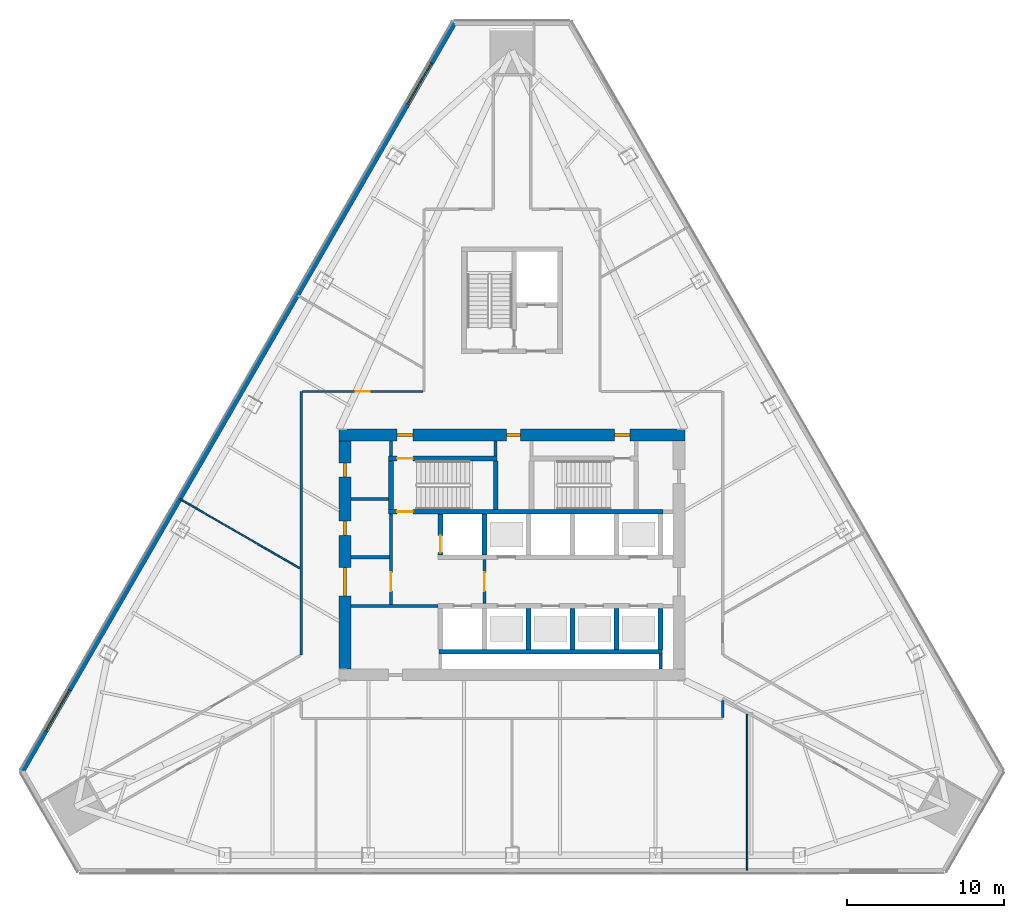
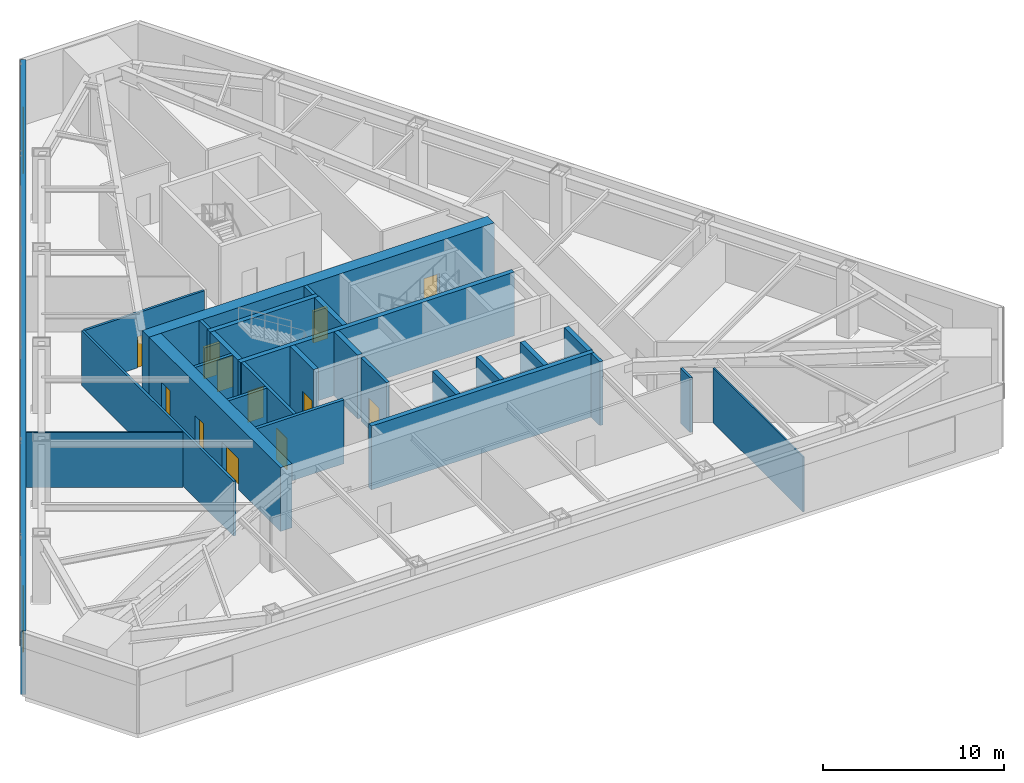
# One storey, part 6 of 14: 27 walls, 12 doors, 2 windows, 14 openings.
"""IFC4 building model written with IfcOpenShell, lengths in metres."""

import ifcopenshell
import ifcopenshell.guid

model = None  # the IFC model being written
_history = None  # IfcOwnerHistory: only IFC2X3 demands one
_inside = {}  # id of a spatial element -> (the spatial element, [elements in it])
_under = {}  # id of a project, library or spatial element -> (it, [spatial elements below it])
_declared = {}  # id of a project -> (the project, [libraries it declares])
_typed = {}  # id of a type object -> (the type object, [elements of that type])
_made_of = {}  # id of a material, layer set ... -> (it, [elements and type objects made of it])


def new_model(schema):
    """Start an empty IFC model of exactly this schema.

    Asked for "IFC4X3", IfcOpenShell would pick the latest addendum, in which some entities
    have other attributes; the version numbers below select the first issue.
    IFC2X3 requires an IfcOwnerHistory on every rooted entity: one is made here for all.
    """
    global model, _history
    if schema == "IFC4X3":
        model = ifcopenshell.file(schema_version=(4, 3, 0, 0))
    else:
        model = ifcopenshell.file(schema=schema)
    _inside.clear()
    _under.clear()
    _declared.clear()
    _typed.clear()
    _made_of.clear()
    _history = None
    if model.schema == "IFC2X3":
        org = make("IfcOrganization", Name="unknown")
        user = make(
            "IfcPersonAndOrganization",
            ThePerson=make("IfcPerson", FamilyName="unknown"),
            TheOrganization=org,
        )
        app = make(
            "IfcApplication",
            ApplicationDeveloper=org,
            Version="unknown",
            ApplicationFullName="unknown",
            ApplicationIdentifier="unknown",
        )
        _history = make(
            "IfcOwnerHistory",
            OwningUser=user,
            OwningApplication=app,
            ChangeAction="ADDED",
            CreationDate=0,
        )
    return model


def make(cls, **values):
    """One entity of the class cls with the attributes given. An attribute that is None is left unset."""
    return model.create_entity(
        cls, **{name: value for name, value in values.items() if value is not None}
    )


def rooted(cls, **values):
    """An entity with a GlobalId (a new one), such as an element, a storey or a relation."""
    return make(cls, GlobalId=ifcopenshell.guid.new(), OwnerHistory=_history, **values)


def si_unit(unit_type, name, prefix=None):
    """IfcSIUnit, for example si_unit("LENGTHUNIT", "METRE", prefix="MILLI")."""
    return make("IfcSIUnit", UnitType=unit_type, Prefix=prefix, Name=name)


def assignment(units):
    """IfcUnitAssignment: the units of a project."""
    return None if units is None else make("IfcUnitAssignment", Units=units)


def point(xyz):
    """IfcCartesianPoint."""
    return None if xyz is None else make("IfcCartesianPoint", Coordinates=xyz)


def direction(xyz):
    """IfcDirection."""
    return None if xyz is None else make("IfcDirection", DirectionRatios=xyz)


def frame(location, z_axis=None, x_axis=None):
    """IfcAxis2Placement3D, a coordinate frame: its origin and axes. An axis left out is left unset."""
    return make(
        "IfcAxis2Placement3D",
        Location=point(location),
        Axis=direction(z_axis),
        RefDirection=direction(x_axis),
    )


def frame_2d(location, x_axis=None):
    """IfcAxis2Placement2D, a coordinate frame in the plane: its origin and x axis."""
    return make(
        "IfcAxis2Placement2D", Location=point(location), RefDirection=direction(x_axis)
    )


def origin():
    """The frame at (0, 0, 0) with its axes left unset."""
    return frame((0.0, 0.0, 0.0))


def place(relative_to, where):
    """IfcLocalPlacement: puts the frame where relative to a parent placement (None: the world)."""
    return make(
        "IfcLocalPlacement", PlacementRelTo=relative_to, RelativePlacement=where
    )


def context(
    kind, dimensions, precision=None, world=None, true_north=None, identifier=None
):
    """IfcGeometricRepresentationContext, for example the 3D "Model" context."""
    return make(
        "IfcGeometricRepresentationContext",
        ContextIdentifier=identifier,
        ContextType=kind,
        CoordinateSpaceDimension=dimensions,
        Precision=precision,
        WorldCoordinateSystem=world,
        TrueNorth=true_north,
    )


def subcontext(parent, identifier, kind, view, scale=None):
    """IfcGeometricRepresentationSubContext, for example "Body" below "Model"."""
    return make(
        "IfcGeometricRepresentationSubContext",
        ContextIdentifier=identifier,
        ContextType=kind,
        ParentContext=parent,
        TargetScale=scale,
        TargetView=view,
    )


def project(units=None, contexts=None):
    """IfcProject with its units and contexts."""
    return rooted(
        "IfcProject",
        Name="project",
        RepresentationContexts=contexts,
        UnitsInContext=assignment(units),
    )


def spatial(cls, under=None, at=None, **own):
    """A site, building, storey or space (cls), placed at a placement, below another one or the project."""
    s = rooted(cls, ObjectPlacement=at, **own)
    if under is not None:
        _under.setdefault(under.id(), (under, []))[1].append(s)
    return s


def profile(cls, at=None, kind="AREA", **sizes):
    """A parametric profile (cls). Its sizes go by their IFC names, for example OverallWidth=200.0."""
    return make(cls, ProfileType=kind, Position=at, **sizes)


def rectangle(**sizes):
    """IfcRectangleProfileDef."""
    return profile("IfcRectangleProfileDef", **sizes)


def extrude(swept, where, along, depth):
    """IfcExtrudedAreaSolid: the profile swept, set in the frame where, extruded along a direction by depth."""
    return make(
        "IfcExtrudedAreaSolid",
        SweptArea=swept,
        Position=where,
        ExtrudedDirection=direction(along),
        Depth=depth,
    )


def shape(context_of_items, identifier, shape_type, items):
    """IfcShapeRepresentation: the items that make up one representation, for example the "Body"."""
    return make(
        "IfcShapeRepresentation",
        ContextOfItems=context_of_items,
        RepresentationIdentifier=identifier,
        RepresentationType=shape_type,
        Items=items,
    )


def material(Name=None, Category=None):
    """IfcMaterial."""
    return make("IfcMaterial", Name=Name, Category=Category)


def layer(
    of_material, thickness, ventilated=None, Name=None, Category=None, Priority=None
):
    """IfcMaterialLayer: one layer of a wall or slab, of a material (None: an air gap)."""
    return make(
        "IfcMaterialLayer",
        Material=of_material,
        LayerThickness=thickness,
        IsVentilated=ventilated,
        Name=Name,
        Category=Category,
        Priority=Priority,
    )


def layer_set(layers, Name=None):
    """IfcMaterialLayerSet."""
    return make("IfcMaterialLayerSet", MaterialLayers=layers, LayerSetName=Name)


def made_of(thing, what):
    """Note that an element or type object is made of a material, layer set ...; save() writes the relation."""
    if what is not None:
        _made_of.setdefault(what.id(), (what, []))[1].append(thing)
    return thing


def type_object(cls, material=None, **own):
    """A type object (cls), such as IfcWallType, which elements share."""
    return made_of(rooted(cls, **own), material)


def element(
    cls,
    number,
    at=None,
    inside=None,
    cuts=None,
    type_object=None,
    material=None,
    context=None,
    identifier="Body",
    shape_type=None,
    held_by="IfcProductDefinitionShape",
    body=None,
    shapes=None,
    **own,
):
    """One element of the class cls, such as IfcWall. Its Tag is "e" and its number.

    at: its placement. inside: the storey or other place that contains it. cuts: it is an
    opening in that element (IfcRelVoidsElement). A single representation is given by context,
    identifier, shape_type and body (its items); several are given by shapes. held_by: the class
    of the entity that holds the representations. save() writes the other relations.
    """
    e = rooted(cls, Tag="e%d" % number, ObjectPlacement=at, **own)
    if body is not None:
        shapes = [shape(context, identifier, shape_type, body)]
    if shapes is not None:
        e.Representation = make(held_by, Representations=shapes)
    if inside is not None:
        _inside.setdefault(inside.id(), (inside, []))[1].append(e)
    if cuts is not None:
        rooted(
            "IfcRelVoidsElement", RelatingBuildingElement=cuts, RelatedOpeningElement=e
        )
    if type_object is not None:
        _typed.setdefault(type_object.id(), (type_object, []))[1].append(e)
    return made_of(e, material)


def fill(opening, filler):
    """IfcRelFillsElement: the door or window that sits in an opening."""
    return rooted(
        "IfcRelFillsElement",
        RelatingOpeningElement=opening,
        RelatedBuildingElement=filler,
    )


def aggregate(whole, parts):
    """IfcRelAggregates: a whole, such as a stair, and the parts it consists of."""
    return rooted("IfcRelAggregates", RelatingObject=whole, RelatedObjects=parts)


def save(model, path):
    """Write the relations noted so far, then the file.

    IfcRelAggregates (storeys below a building ...), IfcRelContainedInSpatialStructure (elements
    in a storey), IfcRelDefinesByType, IfcRelAssociatesMaterial and IfcRelDeclares: one each for
    every whole, place, type object, material and project.
    """
    for whole, parts in _under.values():
        aggregate(whole, parts)
    for where, things in _inside.values():
        rooted(
            "IfcRelContainedInSpatialStructure",
            RelatedElements=things,
            RelatingStructure=where,
        )
    for kind, things in _typed.values():
        rooted("IfcRelDefinesByType", RelatedObjects=things, RelatingType=kind)
    for what, things in _made_of.values():
        rooted("IfcRelAssociatesMaterial", RelatedObjects=things, RelatingMaterial=what)
    for by, libraries in _declared.values():
        rooted("IfcRelDeclares", RelatingContext=by, RelatedDefinitions=libraries)
    model.write(path)


model = new_model("IFC4")

# Units and contexts
model_context = context("Model", 3, precision=1e-05, world=origin(), true_north=direction((0.0, 1.0)))
body_context = subcontext(model_context, "Body", "Model", "MODEL_VIEW")
ifc_project = project(units=[si_unit("LENGTHUNIT", "METRE"), si_unit("AREAUNIT", "SQUARE_METRE"), si_unit("VOLUMEUNIT", "CUBIC_METRE"), si_unit("PLANEANGLEUNIT", "RADIAN"), si_unit("MASSUNIT", "GRAM", prefix="KILO")], contexts=[model_context])

# Site, building, storey
site_placement = place(None, origin())
site = spatial("IfcSite", under=ifc_project, at=site_placement, CompositionType="ELEMENT")
building_placement = place(site_placement, origin())
building = spatial("IfcBuilding", under=site, at=building_placement, Name="Firuza Gate Tower and Library", CompositionType="ELEMENT")
storey_placement = place(building_placement, frame((0.0, 0.0, 151.300048828125)))
storey = spatial("IfcBuildingStorey", under=building, at=storey_placement, Name="L34", CompositionType="ELEMENT", Elevation=151.300048828125)

# Walls
ifc_material_1 = material(Name="Plasterboard on steel studs", Category="steel")
ifc_layer_1 = layer(ifc_material_1, 0.199951171875)
ifc_layer_set_1 = layer_set([ifc_layer_1], Name="Core partition 200 EI 120")
wall_type_1 = type_object("IfcWallType", Name="Core partition 200 EI 120", PredefinedType="PARTITIONING", material=ifc_layer_set_1)
wall_1_placement = place(storey_placement, frame((64.75, 71.75, 0.0), z_axis=(0.0, 0.0, 1.0), x_axis=(1.0, 0.0, 0.0)))
element("IfcWall", 1, at=wall_1_placement, inside=storey, type_object=wall_type_1, Name="Core partition L34 1", PredefinedType="PARTITIONING", context=body_context, shape_type="SweptSolid", body=[
    extrude(rectangle(XDim=5.550048828125, YDim=0.199951171875, at=frame_2d((2.77490234375, 0.0))), origin(), (0.0, 0.0, 1.0), 4.300048828125),
])
wall_2_placement = place(storey_placement, frame((64.75, 74.85009765625, 0.0), z_axis=(0.0, 0.0, 1.0), x_axis=(1.0, 0.0, 0.0)))
element("IfcWall", 2, at=wall_2_placement, inside=storey, type_object=wall_type_1, Name="Core partition L34 3", PredefinedType="PARTITIONING", context=body_context, shape_type="SweptSolid", body=[
    extrude(rectangle(XDim=2.449951171875, YDim=0.199951171875, at=frame_2d((1.22509765625, 0.0))), origin(), (0.0, 0.0, 1.0), 4.300048828125),
])
wall_3_placement = place(storey_placement, frame((64.75, 78.550048828125, 0.0), z_axis=(0.0, 0.0, 1.0), x_axis=(1.0, 0.0, 0.0)))
element("IfcWall", 3, at=wall_3_placement, inside=storey, type_object=wall_type_1, Name="Core partition L34 6", PredefinedType="PARTITIONING", context=body_context, shape_type="SweptSolid", body=[
    extrude(rectangle(XDim=2.39990234375, YDim=0.199951171875, at=frame_2d((1.199951171875, 0.0))), origin(), (0.0, 0.0, 1.0), 4.300048828125),
])

# Wall, opening, door
wall_4_placement = place(storey_placement, frame((67.300048828125, 71.85009765625, 0.0), z_axis=(0.0, 0.0, 1.0), x_axis=(0.0, 1.0, 0.0)))
wall_4 = element("IfcWall", 4, at=wall_4_placement, inside=storey, type_object=wall_type_1, Name="Core partition L34 7", PredefinedType="PARTITIONING", context=body_context, shape_type="SweptSolid", body=[
    extrude(rectangle(XDim=5.75, YDim=0.199951171875, at=frame_2d((2.875, 0.0))), origin(), (0.0, 0.0, 1.0), 4.300048828125),
])
opening_1_placement = place(wall_4_placement, frame((0.85009765625, 0.0, 0.0)))
opening_1 = element("IfcOpeningElement", 5, at=opening_1_placement, cuts=wall_4, Name="Opening L34-K19", PredefinedType="OPENING", context=body_context, shape_type="SweptSolid", body=[
    extrude(rectangle(XDim=1.199951171875, YDim=2.10009765625, at=frame_2d((0.60009765625, 1.050048828125))), frame((0.0, 0.10986328125, 0.0), z_axis=(0.0, -1.0, 0.0), x_axis=(1.0, 0.0, 0.0)), (0.0, 0.0, 1.0), 0.219970703125),
])
ifc_material_2 = material(Name="Steel", Category="steel")
door_type_1 = type_object("IfcDoorType", Name="Fire door 1200x2100 FD90S", OperationType="NOTDEFINED", PredefinedType="DOOR", material=ifc_material_2)
door_1_placement = place(opening_1_placement, origin())
door_1 = element("IfcDoor", 6, at=door_1_placement, inside=storey, type_object=door_type_1, Name="Door L34-K19", OperationType="SINGLE_SWING_RIGHT", OverallHeight=2.10009765625, OverallWidth=1.199951171875, PredefinedType="DOOR", context=body_context, shape_type="SweptSolid", body=[
    extrude(rectangle(XDim=1.199951171875, YDim=2.10009765625, at=frame_2d((0.60009765625, 1.050048828125))), frame((0.0, 0.02490234375, 0.0), z_axis=(0.0, -1.0, 0.0), x_axis=(1.0, 0.0, 0.0)), (0.0, 0.0, 1.0), 0.050048828125),
])
fill(opening_1, door_1)

# Walls
for number, where, z_axis, x_axis, name in (
    (7, (67.300048828125, 81.280029296875, 0.0), (0.0, 0.0, 1.0), (0.0, 1.0, 0.0), "Core partition L34 8"),
    (8, (73.9599609375, 81.280029296875, 0.0), (0.0, 0.0, 1.0), (0.0, 1.0, 0.0), "Core partition L34 11"),
):
    element("IfcWall", number, at=place(storey_placement, frame(where, z_axis=z_axis, x_axis=x_axis)), inside=storey, type_object=wall_type_1, Name=name, PredefinedType="PARTITIONING", context=body_context, shape_type="SweptSolid", body=[
        extrude(rectangle(XDim=0.969970703125, YDim=0.199951171875, at=frame_2d((0.48486328125, 0.0))), origin(), (0.0, 0.0, 1.0), 4.300048828125),
    ])
wall_5_placement = place(storey_placement, frame((84.449951171875, 67.75, 0.0), z_axis=(0.0, 0.0, 1.0), x_axis=(0.0, 1.0, 0.0)))
element("IfcWall", 9, at=wall_5_placement, inside=storey, type_object=wall_type_1, Name="Core partition L34 14", PredefinedType="PARTITIONING", context=body_context, shape_type="SweptSolid", body=[
    extrude(rectangle(XDim=0.949951171875, YDim=0.199951171875, at=frame_2d((0.47509765625, 0.0))), origin(), (0.0, 0.0, 1.0), 4.300048828125),
])

# Wall, opening, door
ifc_material_3 = material(Name="Plasterboard on steel studs", Category="steel")
ifc_layer_2 = layer(ifc_material_3, 0.199951171875)
ifc_layer_set_2 = layer_set([ifc_layer_2], Name="Core partition 200 EI 60")
wall_type_2 = type_object("IfcWallType", Name="Core partition 200 EI 60", PredefinedType="PARTITIONING", material=ifc_layer_set_2)
wall_6_placement = place(storey_placement, frame((73.25, 71.89990234375, 0.0), z_axis=(0.0, 0.0, 1.0), x_axis=(0.0, 1.0, 0.0)))
wall_6 = element("IfcWall", 10, at=wall_6_placement, inside=storey, type_object=wall_type_2, Name="Core partition L34 10", PredefinedType="PARTITIONING", context=body_context, shape_type="SweptSolid", body=[
    extrude(rectangle(XDim=2.800048828125, YDim=0.199951171875, at=frame_2d((1.39990234375, 0.0))), origin(), (0.0, 0.0, 1.0), 4.300048828125),
])
opening_2_placement = place(wall_6_placement, frame((0.800048828125, 0.0, 0.0)))
opening_2 = element("IfcOpeningElement", 11, at=opening_2_placement, cuts=wall_6, Name="Opening L34-K18", PredefinedType="OPENING", context=body_context, shape_type="SweptSolid", body=[
    extrude(rectangle(XDim=1.199951171875, YDim=2.10009765625, at=frame_2d((0.60009765625, 1.050048828125))), frame((0.0, 0.10986328125, 0.0), z_axis=(0.0, -1.0, 0.0), x_axis=(1.0, 0.0, 0.0)), (0.0, 0.0, 1.0), 0.219970703125),
])
door_2_placement = place(opening_2_placement, origin())
door_2 = element("IfcDoor", 12, at=door_2_placement, inside=storey, type_object=door_type_1, Name="Door L34-K18", OperationType="SINGLE_SWING_LEFT", OverallHeight=2.10009765625, OverallWidth=1.199951171875, PredefinedType="DOOR", context=body_context, shape_type="SweptSolid", body=[
    extrude(rectangle(XDim=1.199951171875, YDim=2.10009765625, at=frame_2d((0.60009765625, 1.050048828125))), frame((0.0, 0.02490234375, 0.0), z_axis=(0.0, -1.0, 0.0), x_axis=(1.0, 0.0, 0.0)), (0.0, 0.0, 1.0), 0.050048828125),
])
fill(opening_2, door_2)

# Wall
ifc_material_4 = material(Name="Concrete C80/95", Category="concrete")
ifc_layer_3 = layer(ifc_material_4, 0.300048828125)
ifc_layer_set_3 = layer_set([ifc_layer_3], Name="Core wall 300 C80/95")
wall_type_3 = type_object("IfcWallType", Name="Core wall 300 C80/95", PredefinedType="SHEAR", material=ifc_layer_set_3)
wall_7_placement = place(storey_placement, frame((70.35009765625, 68.85009765625, 0.0), z_axis=(0.0, 0.0, 1.0), x_axis=(1.0, 0.0, 0.0)))
element("IfcWall", 13, at=wall_7_placement, inside=storey, type_object=wall_type_3, Name="Core wall L34 5", PredefinedType="SHEAR", context=body_context, shape_type="SweptSolid", body=[
    extrude(rectangle(XDim=14.199951171875, YDim=0.300048828125, at=frame_2d((7.10009765625, 0.0))), origin(), (0.0, 0.0, 1.0), 4.300048828125),
])

# Wall, opening, door
wall_8_placement = place(storey_placement, frame((70.449951171875, 75.0, 0.0), z_axis=(0.0, 0.0, 1.0), x_axis=(0.0, 1.0, 0.0)))
wall_8 = element("IfcWall", 14, at=wall_8_placement, inside=storey, type_object=wall_type_3, Name="Core wall L34 9", PredefinedType="SHEAR", context=body_context, shape_type="SweptSolid", body=[
    extrude(rectangle(XDim=2.60009765625, YDim=0.300048828125, at=frame_2d((1.300048828125, 0.0))), origin(), (0.0, 0.0, 1.0), 4.300048828125),
])
opening_3_placement = place(wall_8_placement, frame((0.14990234375, 0.0, 0.0)))
opening_3 = element("IfcOpeningElement", 15, at=opening_3_placement, cuts=wall_8, Name="Opening LD-FF2-L34", PredefinedType="OPENING", context=body_context, shape_type="SweptSolid", body=[
    extrude(rectangle(XDim=1.10009765625, YDim=2.10009765625, at=frame_2d((0.550048828125, 1.050048828125))), frame((0.0, 0.16015625, 0.0), z_axis=(0.0, -1.0, 0.0), x_axis=(1.0, 0.0, 0.0)), (0.0, 0.0, 1.0), 0.320068359375),
])
ifc_material_5 = material(Name="Stainless steel", Category="steel")
door_type_2 = type_object("IfcDoorType", Name="Lift landing door 1100x2100", OperationType="DOUBLE_DOOR_SLIDING", PredefinedType="DOOR", material=ifc_material_5)
door_3_placement = place(opening_3_placement, origin())
door_3 = element("IfcDoor", 16, at=door_3_placement, inside=storey, type_object=door_type_2, Name="Landing door FF2 L34", OperationType="DOUBLE_DOOR_SLIDING", OverallHeight=2.10009765625, OverallWidth=1.10009765625, PredefinedType="DOOR", context=body_context, shape_type="SweptSolid", body=[
    extrude(rectangle(XDim=1.10009765625, YDim=2.10009765625, at=frame_2d((0.550048828125, 1.050048828125))), frame((0.0, 0.02490234375, 0.0), z_axis=(0.0, -1.0, 0.0), x_axis=(1.0, 0.0, 0.0)), (0.0, 0.0, 1.0), 0.050048828125),
])
fill(opening_3, door_3)

# Walls
for number, where, z_axis, x_axis, name in (
    (17, (73.25, 75.0, 0.0), (0.0, 0.0, 1.0), (0.0, 1.0, 0.0), "Core wall L34 11"),
    (18, (76.050048828125, 69.0, 0.0), (0.0, 0.0, 1.0), (0.0, 1.0, 0.0), "Core wall L34 12"),
    (19, (78.85009765625, 69.0, 0.0), (0.0, 0.0, 1.0), (0.0, 1.0, 0.0), "Core wall L34 14"),
    (20, (81.64990234375, 69.0, 0.0), (0.0, 0.0, 1.0), (0.0, 1.0, 0.0), "Core wall L34 16"),
    (21, (84.449951171875, 69.0, 0.0), (0.0, 0.0, 1.0), (0.0, 1.0, 0.0), "Core wall L34 18"),
):
    element("IfcWall", number, at=place(storey_placement, frame(where, z_axis=z_axis, x_axis=x_axis)), inside=storey, type_object=wall_type_3, Name=name, PredefinedType="SHEAR", context=body_context, shape_type="SweptSolid", body=[
        extrude(rectangle(XDim=2.60009765625, YDim=0.300048828125, at=frame_2d((1.300048828125, 0.0))), origin(), (0.0, 0.0, 1.0), 4.300048828125),
    ])

# Wall, opening, door
wall_9_placement = place(storey_placement, frame((67.14990234375, 77.75, 0.0), z_axis=(0.0, 0.0, 1.0), x_axis=(1.0, 0.0, 0.0)))
wall_9 = element("IfcWall", 22, at=wall_9_placement, inside=storey, type_object=wall_type_3, Name="Core wall L34 20", PredefinedType="SHEAR", context=body_context, shape_type="SweptSolid", body=[
    extrude(rectangle(XDim=17.4501953125, YDim=0.300048828125, at=frame_2d((8.72509765625, 0.0))), origin(), (0.0, 0.0, 1.0), 4.300048828125),
])
opening_4_placement = place(wall_9_placement, frame((0.544921875, 0.0, 0.0)))
opening_4 = element("IfcOpeningElement", 23, at=opening_4_placement, cuts=wall_9, Name="Opening L34-K10", PredefinedType="OPENING", context=body_context, shape_type="SweptSolid", body=[
    extrude(rectangle(XDim=1.0, YDim=2.10009765625, at=frame_2d((0.5, 1.050048828125))), frame((0.0, 0.16015625, 0.0), z_axis=(0.0, -1.0, 0.0), x_axis=(1.0, 0.0, 0.0)), (0.0, 0.0, 1.0), 0.320068359375),
])
ifc_material_6 = material(Name="Steel", Category="steel")
door_type_3 = type_object("IfcDoorType", Name="Fire door 1000x2100 FD90", OperationType="NOTDEFINED", PredefinedType="DOOR", material=ifc_material_6)
door_4_placement = place(opening_4_placement, origin())
door_4 = element("IfcDoor", 24, at=door_4_placement, inside=storey, type_object=door_type_3, Name="Door L34-K10", OperationType="SINGLE_SWING_LEFT", OverallHeight=2.10009765625, OverallWidth=1.0, PredefinedType="DOOR", context=body_context, shape_type="SweptSolid", body=[
    extrude(rectangle(XDim=1.0, YDim=2.10009765625, at=frame_2d((0.5, 1.050048828125))), frame((0.0, 0.02490234375, 0.0), z_axis=(0.0, -1.0, 0.0), x_axis=(1.0, 0.0, 0.0)), (0.0, 0.0, 1.0), 0.050048828125),
])
fill(opening_4, door_4)

wall_10_placement = place(storey_placement, frame((67.14990234375, 81.1298828125, 0.0), z_axis=(0.0, 0.0, 1.0), x_axis=(1.0, 0.0, 0.0)))
wall_10 = element("IfcWall", 25, at=wall_10_placement, inside=storey, type_object=wall_type_3, Name="Core wall L34 21", PredefinedType="SHEAR", context=body_context, shape_type="SweptSolid", body=[
    extrude(rectangle(XDim=6.91015625, YDim=0.300048828125, at=frame_2d((3.455078125, 0.0))), origin(), (0.0, 0.0, 1.0), 4.300048828125),
])
opening_5_placement = place(wall_10_placement, frame((0.544921875, 0.0, 0.0)))
opening_5 = element("IfcOpeningElement", 26, at=opening_5_placement, cuts=wall_10, Name="Opening L34-K11", PredefinedType="OPENING", context=body_context, shape_type="SweptSolid", body=[
    extrude(rectangle(XDim=1.0, YDim=2.10009765625, at=frame_2d((0.5, 1.050048828125))), frame((0.0, 0.16015625, 0.0), z_axis=(0.0, -1.0, 0.0), x_axis=(1.0, 0.0, 0.0)), (0.0, 0.0, 1.0), 0.320068359375),
])
door_5_placement = place(opening_5_placement, origin())
door_5 = element("IfcDoor", 27, at=door_5_placement, inside=storey, type_object=door_type_3, Name="Door L34-K11", OperationType="SINGLE_SWING_RIGHT", OverallHeight=2.10009765625, OverallWidth=1.0, PredefinedType="DOOR", context=body_context, shape_type="SweptSolid", body=[
    extrude(rectangle(XDim=1.0, YDim=2.10009765625, at=frame_2d((0.5, 1.050048828125))), frame((0.0, 0.02490234375, 0.0), z_axis=(0.0, -1.0, 0.0), x_axis=(1.0, 0.0, 0.0)), (0.0, 0.0, 1.0), 0.050048828125),
])
fill(opening_5, door_5)

# Walls
for number, where, z_axis, x_axis, name in (
    (28, (67.300048828125, 77.89990234375, 0.0), (0.0, 0.0, 1.0), (0.0, 1.0, 0.0), "Core wall L34 23"),
    (29, (73.9599609375, 77.89990234375, 0.0), (0.0, 0.0, 1.0), (0.0, 1.0, 0.0), "Core wall L34 24"),
):
    element("IfcWall", number, at=place(storey_placement, frame(where, z_axis=z_axis, x_axis=x_axis)), inside=storey, type_object=wall_type_3, Name=name, PredefinedType="SHEAR", context=body_context, shape_type="SweptSolid", body=[
        extrude(rectangle(XDim=3.080078125, YDim=0.300048828125, at=frame_2d((1.5400390625, 0.0))), origin(), (0.0, 0.0, 1.0), 4.300048828125),
    ])

# Wall, openings, doors
ifc_material_7 = material(Name="Concrete C80/95", Category="concrete")
ifc_layer_4 = layer(ifc_material_7, 0.75)
ifc_layer_set_4 = layer_set([ifc_layer_4], Name="Core wall 750 C80/95")
wall_type_4 = type_object("IfcWallType", Name="Core wall 750 C80/95", PredefinedType="SHEAR", material=ifc_layer_set_4)
wall_11_placement = place(storey_placement, frame((64.0, 82.625, 0.0), z_axis=(0.0, 0.0, 1.0), x_axis=(1.0, 0.0, 0.0)))
wall_11 = element("IfcWall", 30, at=wall_11_placement, inside=storey, type_object=wall_type_4, Name="Core wall L34 2", PredefinedType="SHEAR", context=body_context, shape_type="SweptSolid", body=[
    extrude(rectangle(XDim=22.0, YDim=0.75, at=frame_2d((11.0, 0.0))), origin(), (0.0, 0.0, 1.0), 4.300048828125),
])
opening_6_placement = place(wall_11_placement, frame((3.695068359375, 0.0, 0.0)))
opening_6 = element("IfcOpeningElement", 31, at=opening_6_placement, cuts=wall_11, Name="Opening L34-K12", PredefinedType="OPENING", context=body_context, shape_type="SweptSolid", body=[
    extrude(rectangle(XDim=1.0, YDim=2.10009765625, at=frame_2d((0.5, 1.050048828125))), frame((0.0, 0.385009765625, 0.0), z_axis=(0.0, -1.0, 0.0), x_axis=(1.0, 0.0, 0.0)), (0.0, 0.0, 1.0), 0.77001953125),
])
opening_7_placement = place(wall_11_placement, frame((17.5048828125, 0.0, 0.0)))
opening_7 = element("IfcOpeningElement", 32, at=opening_7_placement, cuts=wall_11, Name="Opening L34-K14", PredefinedType="OPENING", context=body_context, shape_type="SweptSolid", body=[
    extrude(rectangle(XDim=1.0, YDim=2.10009765625, at=frame_2d((0.5, 1.050048828125))), frame((0.0, 0.385009765625, 0.0), z_axis=(0.0, -1.0, 0.0), x_axis=(1.0, 0.0, 0.0)), (0.0, 0.0, 1.0), 0.77001953125),
])
opening_8_placement = place(wall_11_placement, frame((10.64990234375, 0.0, 0.0)))
opening_8 = element("IfcOpeningElement", 33, at=opening_8_placement, cuts=wall_11, Name="Opening L34-K25", PredefinedType="OPENING", context=body_context, shape_type="SweptSolid", body=[
    extrude(rectangle(XDim=0.89990234375, YDim=2.10009765625, at=frame_2d((0.449951171875, 1.050048828125))), frame((0.0, 0.385009765625, 0.0), z_axis=(0.0, -1.0, 0.0), x_axis=(1.0, 0.0, 0.0)), (0.0, 0.0, 1.0), 0.77001953125),
])
door_6_placement = place(opening_6_placement, origin())
door_6 = element("IfcDoor", 34, at=door_6_placement, inside=storey, type_object=door_type_3, Name="Door L34-K12", OperationType="SINGLE_SWING_LEFT", OverallHeight=2.10009765625, OverallWidth=1.0, PredefinedType="DOOR", context=body_context, shape_type="SweptSolid", body=[
    extrude(rectangle(XDim=1.0, YDim=2.10009765625, at=frame_2d((0.5, 1.050048828125))), frame((0.0, 0.094970703125, 0.0), z_axis=(0.0, -1.0, 0.0), x_axis=(1.0, 0.0, 0.0)), (0.0, 0.0, 1.0), 0.18994140625),
])
fill(opening_6, door_6)
door_7_placement = place(opening_7_placement, origin())
door_7 = element("IfcDoor", 35, at=door_7_placement, inside=storey, type_object=door_type_3, Name="Door L34-K14", OperationType="SINGLE_SWING_LEFT", OverallHeight=2.10009765625, OverallWidth=1.0, PredefinedType="DOOR", context=body_context, shape_type="SweptSolid", body=[
    extrude(rectangle(XDim=1.0, YDim=2.10009765625, at=frame_2d((0.5, 1.050048828125))), frame((0.0, 0.094970703125, 0.0), z_axis=(0.0, -1.0, 0.0), x_axis=(1.0, 0.0, 0.0)), (0.0, 0.0, 1.0), 0.18994140625),
])
fill(opening_7, door_7)
ifc_material_8 = material(Name="Steel", Category="steel")
door_type_4 = type_object("IfcDoorType", Name="Fire door 900x2100 FD30S", OperationType="NOTDEFINED", PredefinedType="DOOR", material=ifc_material_8)
door_8_placement = place(opening_8_placement, origin())
door_8 = element("IfcDoor", 36, at=door_8_placement, inside=storey, type_object=door_type_4, Name="Door L34-K25", OperationType="SINGLE_SWING_RIGHT", OverallHeight=2.10009765625, OverallWidth=0.89990234375, PredefinedType="DOOR", context=body_context, shape_type="SweptSolid", body=[
    extrude(rectangle(XDim=0.89990234375, YDim=2.10009765625, at=frame_2d((0.449951171875, 1.050048828125))), frame((0.0, 0.094970703125, 0.0), z_axis=(0.0, -1.0, 0.0), x_axis=(1.0, 0.0, 0.0)), (0.0, 0.0, 1.0), 0.18994140625),
])
fill(opening_8, door_8)

wall_12_placement = place(storey_placement, frame((64.375, 67.75, 0.0), z_axis=(0.0, 0.0, 1.0), x_axis=(0.0, 1.0, 0.0)))
wall_12 = element("IfcWall", 37, at=wall_12_placement, inside=storey, type_object=wall_type_4, Name="Core wall L34 3", PredefinedType="SHEAR", context=body_context, shape_type="SweptSolid", body=[
    extrude(rectangle(XDim=14.5, YDim=0.75, at=frame_2d((7.25, 0.0))), origin(), (0.0, 0.0, 1.0), 4.300048828125),
])
opening_9_placement = place(wall_12_placement, frame((4.64990234375, 0.0, 0.0)))
opening_9 = element("IfcOpeningElement", 38, at=opening_9_placement, cuts=wall_12, Name="Opening L34-K20", PredefinedType="OPENING", context=body_context, shape_type="SweptSolid", body=[
    extrude(rectangle(XDim=1.800048828125, YDim=2.10009765625, at=frame_2d((0.89990234375, 1.050048828125))), frame((0.0, 0.385009765625, 0.0), z_axis=(0.0, -1.0, 0.0), x_axis=(1.0, 0.0, 0.0)), (0.0, 0.0, 1.0), 0.77001953125),
])
opening_10_placement = place(wall_12_placement, frame((8.5, 0.0, 0.0)))
opening_10 = element("IfcOpeningElement", 39, at=opening_10_placement, cuts=wall_12, Name="Opening L34-K23", PredefinedType="OPENING", context=body_context, shape_type="SweptSolid", body=[
    extrude(rectangle(XDim=0.89990234375, YDim=2.10009765625, at=frame_2d((0.449951171875, 1.050048828125))), frame((0.0, 0.385009765625, 0.0), z_axis=(0.0, -1.0, 0.0), x_axis=(1.0, 0.0, 0.0)), (0.0, 0.0, 1.0), 0.77001953125),
])
opening_11_placement = place(wall_12_placement, frame((12.199951171875, 0.0, 0.0)))
opening_11 = element("IfcOpeningElement", 40, at=opening_11_placement, cuts=wall_12, Name="Opening L34-K24", PredefinedType="OPENING", context=body_context, shape_type="SweptSolid", body=[
    extrude(rectangle(XDim=0.89990234375, YDim=2.10009765625, at=frame_2d((0.449951171875, 1.050048828125))), frame((0.0, 0.385009765625, 0.0), z_axis=(0.0, -1.0, 0.0), x_axis=(1.0, 0.0, 0.0)), (0.0, 0.0, 1.0), 0.77001953125),
])
ifc_material_9 = material(Name="Steel", Category="steel")
door_type_5 = type_object("IfcDoorType", Name="Fire door 1800x2100 FD30S", OperationType="NOTDEFINED", PredefinedType="DOOR", material=ifc_material_9)
door_9_placement = place(opening_9_placement, origin())
door_9 = element("IfcDoor", 41, at=door_9_placement, inside=storey, type_object=door_type_5, Name="Door L34-K20", OperationType="SINGLE_SWING_LEFT", OverallHeight=2.10009765625, OverallWidth=1.800048828125, PredefinedType="DOOR", context=body_context, shape_type="SweptSolid", body=[
    extrude(rectangle(XDim=1.800048828125, YDim=2.10009765625, at=frame_2d((0.89990234375, 1.050048828125))), frame((0.0, 0.094970703125, 0.0), z_axis=(0.0, -1.0, 0.0), x_axis=(1.0, 0.0, 0.0)), (0.0, 0.0, 1.0), 0.18994140625),
])
fill(opening_9, door_9)
door_10_placement = place(opening_10_placement, origin())
door_10 = element("IfcDoor", 42, at=door_10_placement, inside=storey, type_object=door_type_4, Name="Door L34-K23", OperationType="SINGLE_SWING_RIGHT", OverallHeight=2.10009765625, OverallWidth=0.89990234375, PredefinedType="DOOR", context=body_context, shape_type="SweptSolid", body=[
    extrude(rectangle(XDim=0.89990234375, YDim=2.10009765625, at=frame_2d((0.449951171875, 1.050048828125))), frame((0.0, 0.094970703125, 0.0), z_axis=(0.0, -1.0, 0.0), x_axis=(1.0, 0.0, 0.0)), (0.0, 0.0, 1.0), 0.18994140625),
])
fill(opening_10, door_10)
door_11_placement = place(opening_11_placement, origin())
door_11 = element("IfcDoor", 43, at=door_11_placement, inside=storey, type_object=door_type_4, Name="Door L34-K24", OperationType="SINGLE_SWING_LEFT", OverallHeight=2.10009765625, OverallWidth=0.89990234375, PredefinedType="DOOR", context=body_context, shape_type="SweptSolid", body=[
    extrude(rectangle(XDim=0.89990234375, YDim=2.10009765625, at=frame_2d((0.449951171875, 1.050048828125))), frame((0.0, 0.094970703125, 0.0), z_axis=(0.0, -1.0, 0.0), x_axis=(1.0, 0.0, 0.0)), (0.0, 0.0, 1.0), 0.18994140625),
])
fill(opening_11, door_11)

# Wall, opening, door
ifc_material_10 = material(Name="Gypsum board partition")
ifc_layer_5 = layer(ifc_material_10, 0.14990234375)
ifc_layer_set_5 = layer_set([ifc_layer_5], Name="Corridor wall 150 double board on steel studs")
wall_type_5 = type_object("IfcWallType", Name="Corridor wall 150 double board on steel studs", PredefinedType="PARTITIONING", material=ifc_layer_set_5)
wall_13_placement = place(storey_placement, frame((69.324951171875, 85.39990234375, 0.0), z_axis=(0.0, 0.0, 1.0), x_axis=(-1.0, 0.0, 0.0)))
wall_13 = element("IfcWall", 44, at=wall_13_placement, inside=storey, type_object=wall_type_5, Name="f:L34:w003", PredefinedType="PARTITIONING", context=body_context, shape_type="SweptSolid", body=[
    extrude(rectangle(XDim=7.6494140625, YDim=0.14990234375, at=frame_2d((3.82470703125, 0.0))), origin(), (0.0, 0.0, 1.0), 3.699951171875),
])
opening_12_placement = place(wall_13_placement, frame((3.374755859375, 0.0, 0.0)))
opening_12 = element("IfcOpeningElement", 45, at=opening_12_placement, cuts=wall_13, Name="Opening L34-03", PredefinedType="OPENING", context=body_context, shape_type="SweptSolid", body=[
    extrude(rectangle(XDim=0.89990234375, YDim=2.10009765625, at=frame_2d((0.449951171875, 1.050048828125))), frame((0.0, 0.0849609375, 0.0), z_axis=(0.0, -1.0, 0.0), x_axis=(1.0, 0.0, 0.0)), (0.0, 0.0, 1.0), 0.169921875),
])
ifc_material_11 = material(Name="Steel door and timber leaf", Category="steel")
door_type_6 = type_object("IfcDoorType", Name="Fire door 900 x 2100 steel frame, timber leaf", OperationType="NOTDEFINED", PredefinedType="DOOR", material=ifc_material_11)
door_12_placement = place(opening_12_placement, origin())
door_12 = element("IfcDoor", 46, at=door_12_placement, inside=storey, type_object=door_type_6, Name="f:L34:d003", OperationType="SINGLE_SWING_RIGHT", OverallHeight=2.10009765625, OverallWidth=0.89990234375, PredefinedType="DOOR", context=body_context, shape_type="SweptSolid", body=[
    extrude(rectangle(XDim=0.89990234375, YDim=2.10009765625, at=frame_2d((0.449951171875, 1.050048828125))), frame((0.0, 0.02490234375, 0.0), z_axis=(0.0, -1.0, 0.0), x_axis=(1.0, 0.0, 0.0)), (0.0, 0.0, 1.0), 0.050048828125),
])
fill(opening_12, door_12)

# Walls
wall_14_placement = place(storey_placement, frame((88.39990234375, 64.675537109375, 0.0), z_axis=(0.0, 0.0, 1.0), x_axis=(0.0, 1.0, 0.0)))
element("IfcWall", 47, at=wall_14_placement, inside=storey, type_object=wall_type_5, Name="f:L34:w015", PredefinedType="PARTITIONING", context=body_context, shape_type="SweptSolid", body=[
    extrude(rectangle(XDim=1.065673828125, YDim=0.14990234375, at=frame_2d((0.53271484375, 0.0))), origin(), (0.0, 0.0, 1.0), 3.699951171875),
])
wall_15_placement = place(storey_placement, frame((61.60009765625, 68.649169921875, 0.0), z_axis=(0.0, 0.0, 1.0), x_axis=(0.0, 1.0, 0.0)))
element("IfcWall", 48, at=wall_15_placement, inside=storey, type_object=wall_type_5, Name="f:L34:w026", PredefinedType="PARTITIONING", context=body_context, shape_type="SweptSolid", body=[
    extrude(rectangle(XDim=16.750244140625, YDim=0.14990234375, at=frame_2d((8.375, 0.0))), origin(), (0.0, 0.0, 1.0), 3.699951171875),
])
ifc_material_12 = material(Name="Gypsum board partition")
ifc_layer_6 = layer(ifc_material_12, 0.10009765625)
ifc_layer_set_6 = layer_set([ifc_layer_6], Name="Partition 100 gypsum board on steel studs")
wall_type_6 = type_object("IfcWallType", Name="Partition 100 gypsum board on steel studs", PredefinedType="PARTITIONING", material=ifc_layer_set_6)
wall_16_placement = place(storey_placement, frame((89.958984375, 54.94921875, 0.0), z_axis=(0.0, 0.0, 1.0), x_axis=(0.0, 1.0, 0.0)))
element("IfcWall", 49, at=wall_16_placement, inside=storey, type_object=wall_type_6, Name="f:L34:w014", PredefinedType="PARTITIONING", context=body_context, shape_type="SweptSolid", body=[
    extrude(rectangle(XDim=9.911865234375, YDim=0.10009765625, at=frame_2d((4.9560546875, 0.0))), origin(), (0.0, 0.0, 1.0), 3.699951171875),
])
wall_17_placement = place(storey_placement, frame((61.498779296875, 74.157958984375, 0.0), z_axis=(0.0, 0.0, 1.0), x_axis=(-0.866030454263, 0.499991252212, 0.0)))
element("IfcWall", 50, at=wall_17_placement, inside=storey, type_object=wall_type_6, Name="f:L34:w032", PredefinedType="PARTITIONING", context=body_context, shape_type="SweptSolid", body=[
    extrude(rectangle(XDim=8.779541015625, YDim=0.10009765625, at=frame_2d((4.3896484375, 0.0))), origin(), (0.0, 0.0, 1.0), 3.699951171875),
])

# Wall, openings, windows
ifc_material_13 = material(Name="Concrete C40/50", Category="concrete")
ifc_layer_7 = layer(ifc_material_13, 0.300048828125)
ifc_layer_set_7 = layer_set([ifc_layer_7], Name="Plant louvre wall 300")
wall_type_7 = type_object("IfcWallType", Name="Plant louvre wall 300", PredefinedType="SOLIDWALL", material=ifc_layer_set_7)
wall_18_placement = place(storey_placement, frame((71.34814453125, 108.836181640625, 0.0), z_axis=(0.0, 0.0, 1.0), x_axis=(-0.500000750612, -0.866024970418, 0.0)))
wall_18 = element("IfcWall", 51, at=wall_18_placement, inside=storey, type_object=wall_type_7, Name="Plant louvre wall 5", PredefinedType="SOLIDWALL", context=body_context, shape_type="SweptSolid", body=[
    extrude(rectangle(XDim=54.9541015625, YDim=0.300048828125, at=frame_2d((27.47705078125, 0.0))), origin(), (0.0, 0.0, 1.0), 4.300048828125),
])
opening_13_placement = place(wall_18_placement, frame((2.960205078125, 0.0, 0.800048828125)))
opening_13 = element("IfcOpeningElement", 52, at=opening_13_placement, cuts=wall_18, Name="Opening WD3-005", PredefinedType="OPENING", context=body_context, shape_type="SweptSolid", body=[
    extrude(rectangle(XDim=3.0, YDim=2.39990234375, at=frame_2d((1.5, 1.199951171875))), frame((0.0, 0.16015625, 0.0), z_axis=(0.0, -1.0, 0.0), x_axis=(1.0, 0.0, 0.0)), (0.0, 0.0, 1.0), 0.320068359375),
])
opening_14_placement = place(wall_18_placement, frame((48.993896484375, 0.0, 0.800048828125)))
opening_14 = element("IfcOpeningElement", 53, at=opening_14_placement, cuts=wall_18, Name="Opening WD3-006", PredefinedType="OPENING", context=body_context, shape_type="SweptSolid", body=[
    extrude(rectangle(XDim=3.0, YDim=2.39990234375, at=frame_2d((1.5, 1.199951171875))), frame((0.0, 0.16015625, 0.0), z_axis=(0.0, -1.0, 0.0), x_axis=(1.0, 0.0, 0.0)), (0.0, 0.0, 1.0), 0.320068359375),
])
ifc_material_14 = material(Name="Aluminium 6063-T6", Category="aluminium")
window_type = type_object("IfcWindowType", Name="Plant louvre 3000x2400", PartitioningType="SINGLE_PANEL", PredefinedType="WINDOW", material=ifc_material_14)
window_1_placement = place(opening_13_placement, origin())
window_1 = element("IfcWindow", 54, at=window_1_placement, inside=storey, type_object=window_type, Name="e:pwall:L34:4/L0", OverallHeight=2.39990234375, OverallWidth=3.0, PartitioningType="SINGLE_PANEL", PredefinedType="WINDOW", context=body_context, shape_type="SweptSolid", body=[
    extrude(rectangle(XDim=3.0, YDim=2.39990234375, at=frame_2d((1.5, 1.199951171875))), frame((0.0, 0.030029296875, 0.0), z_axis=(0.0, -1.0, 0.0), x_axis=(1.0, 0.0, 0.0)), (0.0, 0.0, 1.0), 0.06005859375),
])
fill(opening_13, window_1)
window_2_placement = place(opening_14_placement, origin())
window_2 = element("IfcWindow", 55, at=window_2_placement, inside=storey, type_object=window_type, Name="e:pwall:L34:4/L1", OverallHeight=2.39990234375, OverallWidth=3.0, PartitioningType="SINGLE_PANEL", PredefinedType="WINDOW", context=body_context, shape_type="SweptSolid", body=[
    extrude(rectangle(XDim=3.0, YDim=2.39990234375, at=frame_2d((1.5, 1.199951171875))), frame((0.0, 0.030029296875, 0.0), z_axis=(0.0, -1.0, 0.0), x_axis=(1.0, 0.0, 0.0)), (0.0, 0.0, 1.0), 0.06005859375),
])
fill(opening_14, window_2)

save(model, "model.ifc")
